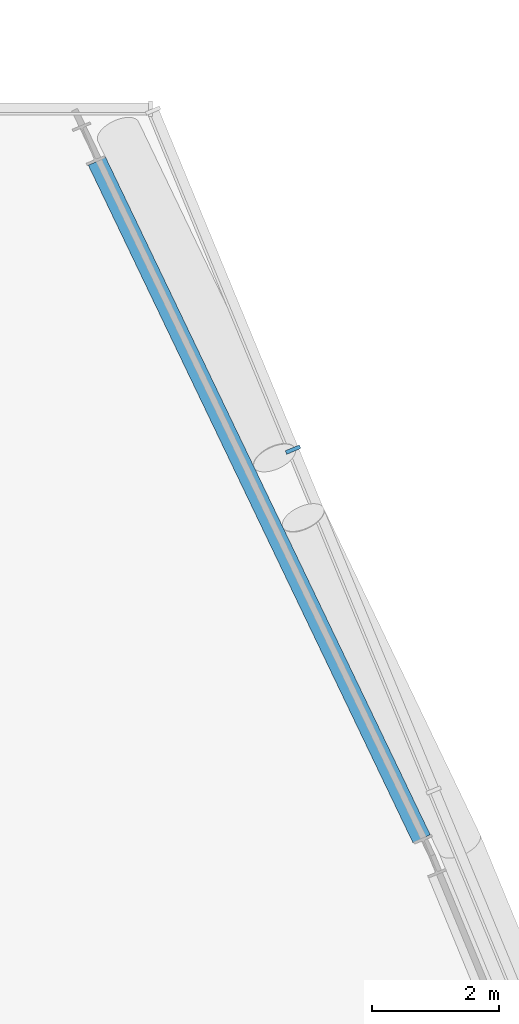
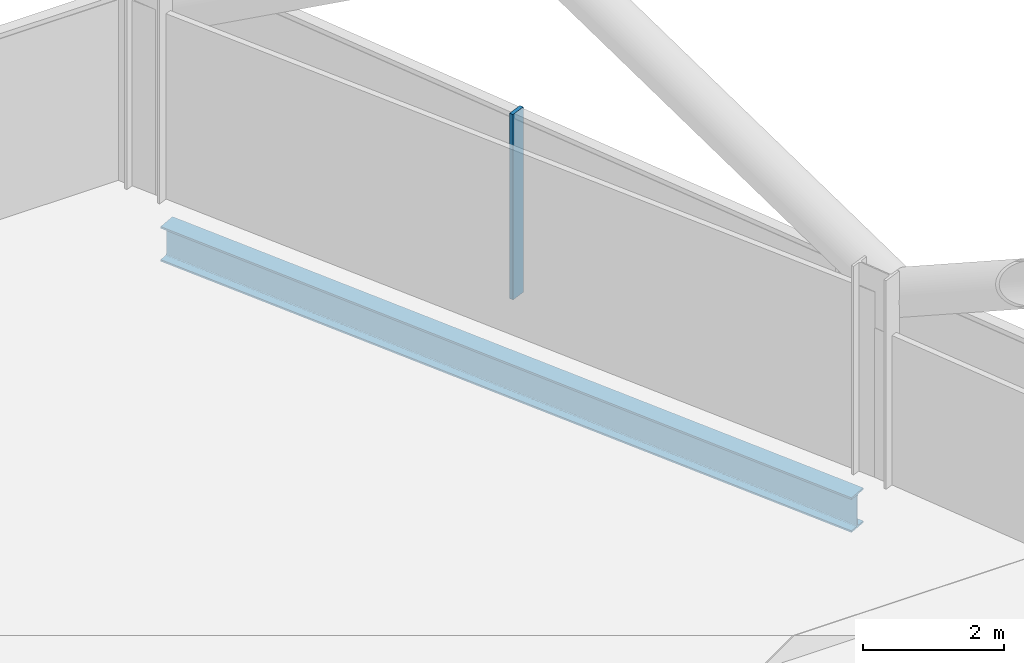
# One storey, part 12 of 29: 1 beam, 1 member, 1 element without a shape of its own.
"""IFC4 building model written with IfcOpenShell, lengths in metres."""

from ifc_helpers import new_model, si_unit, direction, frame, origin, origin_2d, place, context, subcontext, project, spatial, rectangle, i_section, extrude, material, material_profile, profile_set, type_object, element, aggregate, save


model = new_model("IFC4")

# Units and contexts
model_context = context("Model", 3, precision=1e-05, world=origin(), true_north=direction((0.0, 1.0)))
body_context = subcontext(model_context, "Body", "Model", "MODEL_VIEW")
ifc_project = project(units=[si_unit("LENGTHUNIT", "METRE"), si_unit("AREAUNIT", "SQUARE_METRE"), si_unit("VOLUMEUNIT", "CUBIC_METRE"), si_unit("PLANEANGLEUNIT", "RADIAN"), si_unit("MASSUNIT", "GRAM", prefix="KILO")], contexts=[model_context])

# Site, building, storey
site_placement = place(None, origin())
site = spatial("IfcSite", under=ifc_project, at=site_placement, CompositionType="ELEMENT")
building_placement = place(site_placement, origin())
building = spatial("IfcBuilding", under=site, at=building_placement, Name="Wharfspan Tower", CompositionType="ELEMENT")
storey_placement = place(building_placement, frame((0.0, 0.0, 155.5)))
storey = spatial("IfcBuildingStorey", under=building, at=storey_placement, Name="L37", CompositionType="ELEMENT", Elevation=155.5)

# Beam
ifc_material_1 = material(Name="Steel S355J2", Category="steel")
ifc_material_profile_1 = material_profile(ifc_material_1, i_section(OverallWidth=0.300049, OverallDepth=0.600098, WebThickness=0.015381, FlangeThickness=0.030029, FilletRadius=0.0271, at=origin_2d()))
ifc_profile_set_1 = profile_set([ifc_material_profile_1], Name="Steel S355J2")
beam_type = type_object("IfcBeamType", Name="Edge beam HEB 600", PredefinedType="SPANDREL", material=ifc_profile_set_1)
beam_placement = place(storey_placement, frame((73.721436, 30.495605, -0.699951), z_axis=(-0.432149, 0.901802, 0.0), x_axis=(-0.901802, -0.432149, 0.0)))
element("IfcBeam", 1, at=beam_placement, inside=storey, type_object=beam_type, Name="Edge beam L37 PE.2 to PE.3", PredefinedType="SPANDREL", context=body_context, shape_type="SweptSolid", body=[
    extrude(i_section(OverallWidth=0.300049, OverallDepth=0.600098, WebThickness=0.015381, FlangeThickness=0.030029, FilletRadius=0.0271, at=origin_2d()), origin(), (0.0, 0.0, 1.0), 11.841309),
])

# Curtain wall, member
ifc_material_2 = material(Name="Aluminium 6063-T6", Category="aluminium")
curtain_wall_type = type_object("IfcCurtainWallType", Name="CURTAIN WALL PROW AND END", PredefinedType="NOTDEFINED", material=ifc_material_2)
curtain_wall_placement = place(storey_placement, origin())
curtain_wall = element("IfcCurtainWall", 2, at=curtain_wall_placement, inside=storey, type_object=curtain_wall_type, Name="Curtain wall E", PredefinedType="NOTDEFINED")
ifc_material_profile_2 = material_profile(ifc_material_2, rectangle(XDim=0.23999, YDim=0.060059, at=origin_2d()))
ifc_profile_set_2 = profile_set([ifc_material_profile_2], Name="Aluminium 6063-T6")
member_type = type_object("IfcMemberType", Name="MULLION PROW AND END 60x240", PredefinedType="MULLION", material=ifc_profile_set_2)
member_placement = place(storey_placement, frame((71.69458, 36.628662, 0.0), z_axis=(0.0, 0.0, 1.0), x_axis=(-0.924325, -0.381602, 0.0)))
member = element("IfcMember", 3, at=member_placement, type_object=member_type, Name="Curtain wall E mullion 7", PredefinedType="MULLION", context=body_context, shape_type="SweptSolid", body=[
    extrude(rectangle(XDim=0.23999, YDim=0.060059, at=origin_2d()), origin(), (0.0, 0.0, 1.0), 3.199951),
])
aggregate(curtain_wall, [member])

save(model, "model.ifc")
